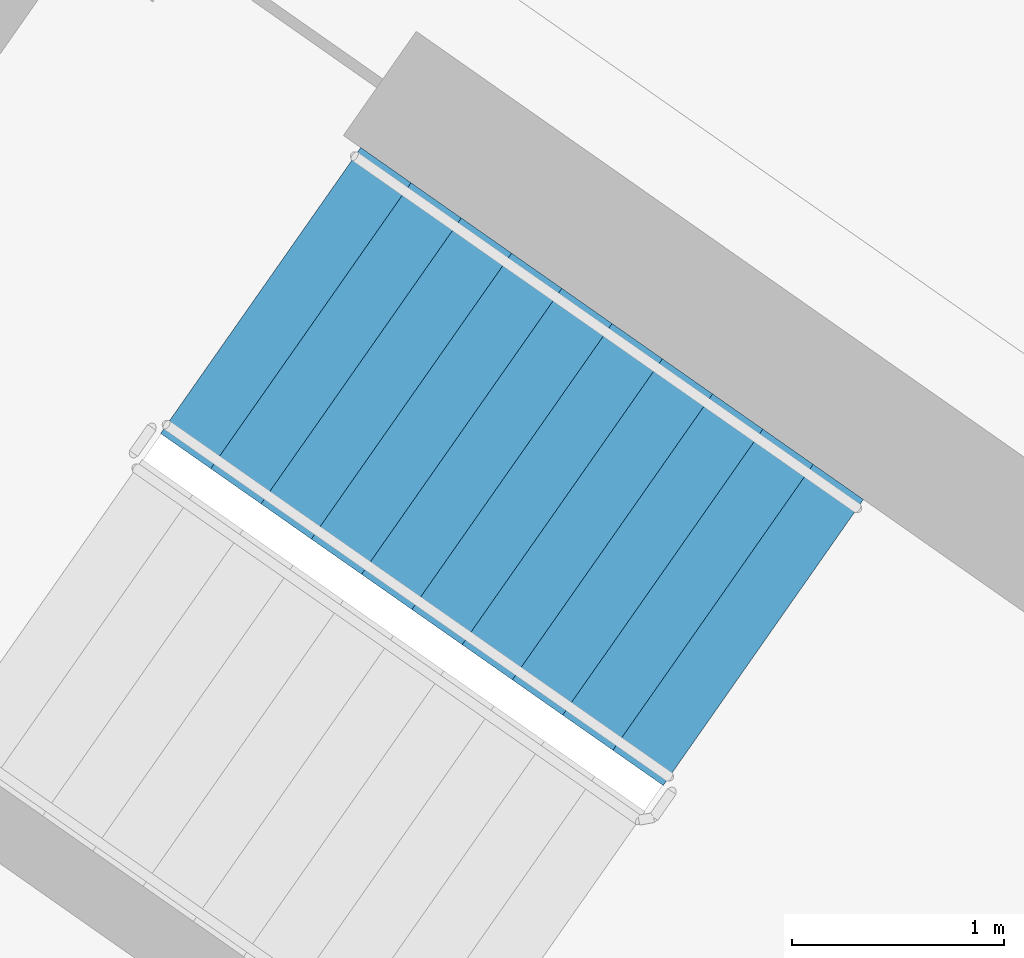
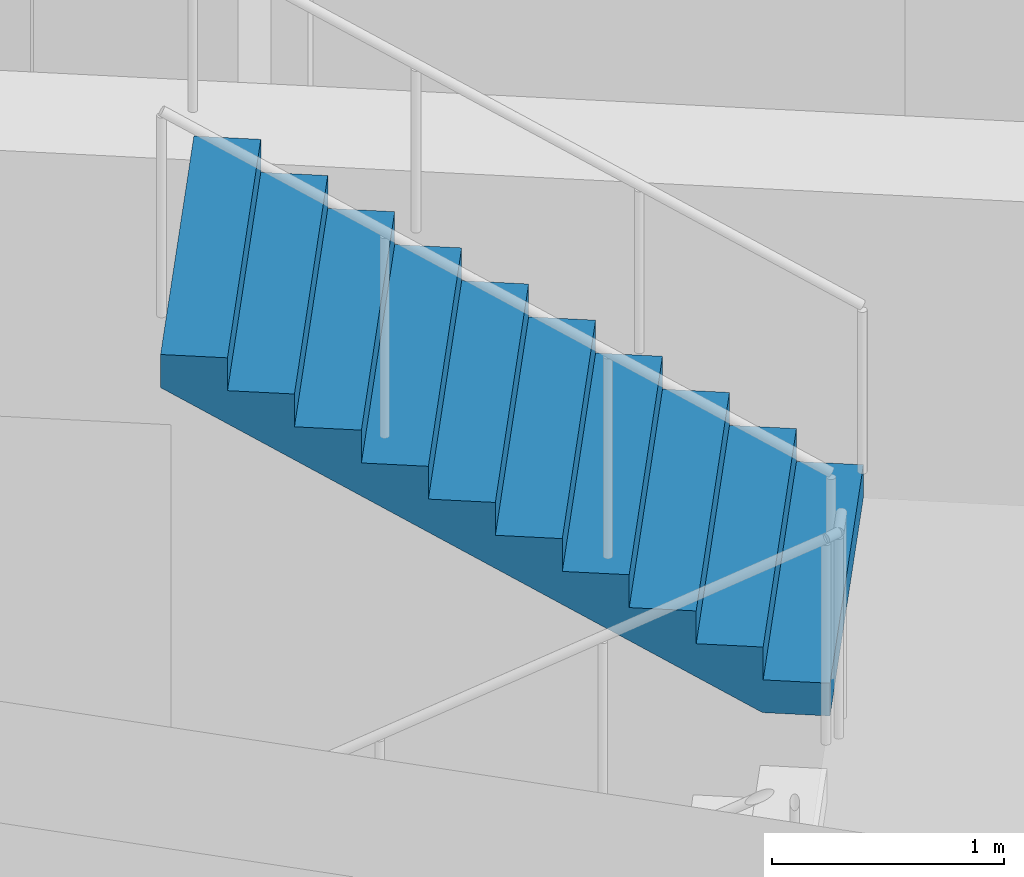
# One storey, part 11 of 29: 1 stair flight, 1 element without a shape of its own.
"""IFC4 building model written with IfcOpenShell, lengths in metres."""

from ifc_helpers import new_model, si_unit, direction, frame, origin, place, context, subcontext, project, spatial, faceted_brep, material, type_object, element, aggregate, save


model = new_model("IFC4")

# Units and contexts
model_context = context("Model", 3, precision=1e-05, world=origin(), true_north=direction((0.0, 1.0)))
body_context = subcontext(model_context, "Body", "Model", "MODEL_VIEW")
ifc_project = project(units=[si_unit("LENGTHUNIT", "METRE"), si_unit("AREAUNIT", "SQUARE_METRE"), si_unit("VOLUMEUNIT", "CUBIC_METRE"), si_unit("PLANEANGLEUNIT", "RADIAN"), si_unit("MASSUNIT", "GRAM", prefix="KILO")], contexts=[model_context])

# Site, building, storey
site_placement = place(None, origin())
site = spatial("IfcSite", under=ifc_project, at=site_placement, CompositionType="ELEMENT")
building_placement = place(site_placement, origin())
building = spatial("IfcBuilding", under=site, at=building_placement, Name="Qamariyya Broadcast Tower", CompositionType="ELEMENT")
storey_placement = place(building_placement, frame((0.0, 0.0, 258.10009765625)))
storey = spatial("IfcBuildingStorey", under=building, at=storey_placement, Name="L62", CompositionType="ELEMENT", Elevation=258.10009765625)

# Stair, stair flight
ifc_material = material(Name="Concrete C50/60", Category="concrete")
stair_type = type_object("IfcStairType", Name="Exit stair 22 risers of 173 mm", PredefinedType="HALF_TURN_STAIR", material=ifc_material)
stair_placement = place(storey_placement, origin())
stair = element("IfcStair", 1, at=stair_placement, inside=storey, type_object=stair_type, Name="L62 Stair W2", PredefinedType="HALF_TURN_STAIR")
stair_flight_type = type_object("IfcStairFlightType", Name="Exit stair flight 11 risers of 173 mm", PredefinedType="STRAIGHT", material=ifc_material)
stair_flight_placement = place(storey_placement, frame((-38.18310546875, -49.3486328125, 1.89990234375), z_axis=(0.0, 0.0, 1.0), x_axis=(-0.819152044289, 0.573576436351, 0.0)))
stair_flight = element("IfcStairFlight", 2, at=stair_flight_placement, type_object=stair_flight_type, Name="ST-W2 flight 2", NumberOfRisers=11, NumberOfTreads=10, PredefinedType="STRAIGHT", RiserHeight=0.172727273, TreadLength=0.29, context=body_context, shape_type="Brep", body=[
    faceted_brep([(0.0, 0.824951171875, 0.0), (0.0, 0.824951171875, 0.172607421875), (0.2900390625, 0.824951171875, 0.172607421875), (0.2900390625, 0.824951171875, 0.345458984375), (0.580078125, 0.824951171875, 0.345458984375), (0.580078125, 0.824951171875, 0.51806640625), (0.8701171875, 0.824951171875, 0.51806640625), (0.8701171875, 0.824951171875, 0.69091796875), (1.159912109375, 0.824951171875, 0.69091796875), (1.159912109375, 0.824951171875, 0.863525390625), (1.449951171875, 0.824951171875, 0.863525390625), (1.449951171875, 0.824951171875, 1.036376953125), (1.739990234375, 0.824951171875, 1.036376953125), (1.739990234375, 0.824951171875, 1.208984375), (2.030029296875, 0.824951171875, 1.208984375), (2.030029296875, 0.824951171875, 1.3818359375), (2.320068359375, 0.824951171875, 1.3818359375), (2.320068359375, 0.824951171875, 1.554443359375), (2.610107421875, 0.824951171875, 1.554443359375), (2.610107421875, 0.824951171875, 1.727294921875), (2.89990234375, 0.824951171875, 1.727294921875), (2.89990234375, 0.824951171875, 1.552734375), (0.29296875, 0.824951171875, 0.0), (0.29296875, -0.824951171875, 0.0), (2.89990234375, -0.824951171875, 1.552734375), (2.89990234375, -0.824951171875, 1.727294921875), (2.610107421875, -0.824951171875, 1.727294921875), (2.610107421875, -0.824951171875, 1.554443359375), (2.320068359375, -0.824951171875, 1.554443359375), (2.320068359375, -0.824951171875, 1.3818359375), (2.030029296875, -0.824951171875, 1.3818359375), (2.030029296875, -0.824951171875, 1.208984375), (1.739990234375, -0.824951171875, 1.208984375), (1.739990234375, -0.824951171875, 1.036376953125), (1.449951171875, -0.824951171875, 1.036376953125), (1.449951171875, -0.824951171875, 0.863525390625), (1.159912109375, -0.824951171875, 0.863525390625), (1.159912109375, -0.824951171875, 0.69091796875), (0.8701171875, -0.824951171875, 0.69091796875), (0.8701171875, -0.824951171875, 0.51806640625), (0.580078125, -0.824951171875, 0.51806640625), (0.580078125, -0.824951171875, 0.345458984375), (0.2900390625, -0.824951171875, 0.345458984375), (0.2900390625, -0.824951171875, 0.172607421875), (0.0, -0.824951171875, 0.172607421875), (0.0, -0.824951171875, 0.0), (0.0, 0.10009765625, 0.0), (0.0, 0.086669921875, 0.0), (0.0, 0.0732421875, 0.0), (0.0, 0.06005859375, 0.0), (0.0, 0.046630859375, 0.0), (0.0, 0.033447265625, 0.0), (0.0, 0.02001953125, 0.0), (0.0, 0.006591796875, 0.0), (0.0, -0.006591796875, 0.0), (0.0, -0.02001953125, 0.0), (0.0, -0.033447265625, 0.0), (0.0, -0.046630859375, 0.0), (0.0, -0.06005859375, 0.0), (0.0, -0.0732421875, 0.0), (0.0, -0.086669921875, 0.0), (0.0, -0.10009765625, 0.0), (0.0, -0.10009765625, 0.172607421875), (0.0, -0.086669921875, 0.172607421875), (0.0, -0.0732421875, 0.172607421875), (0.0, -0.06005859375, 0.172607421875), (0.0, -0.046630859375, 0.172607421875), (0.0, -0.033447265625, 0.172607421875), (0.0, -0.02001953125, 0.172607421875), (0.0, -0.006591796875, 0.172607421875), (0.0, 0.006591796875, 0.172607421875), (0.0, 0.02001953125, 0.172607421875), (0.0, 0.033447265625, 0.172607421875), (0.0, 0.046630859375, 0.172607421875), (0.0, 0.06005859375, 0.172607421875), (0.0, 0.0732421875, 0.172607421875), (0.0, 0.086669921875, 0.172607421875), (0.0, 0.10009765625, 0.172607421875), (0.2900390625, -0.10009765625, 0.172607421875), (0.2900390625, -0.086669921875, 0.172607421875), (0.2900390625, -0.0732421875, 0.172607421875), (0.2900390625, -0.06005859375, 0.172607421875), (0.2900390625, -0.046630859375, 0.172607421875), (0.2900390625, -0.033447265625, 0.172607421875), (0.2900390625, -0.02001953125, 0.172607421875), (0.2900390625, -0.006591796875, 0.172607421875), (0.2900390625, 0.006591796875, 0.172607421875), (0.2900390625, 0.02001953125, 0.172607421875), (0.2900390625, 0.033447265625, 0.172607421875), (0.2900390625, 0.046630859375, 0.172607421875), (0.2900390625, 0.06005859375, 0.172607421875), (0.2900390625, 0.0732421875, 0.172607421875), (0.2900390625, 0.086669921875, 0.172607421875), (0.2900390625, 0.10009765625, 0.172607421875), (0.2900390625, -0.10009765625, 0.345458984375), (0.2900390625, -0.086669921875, 0.345458984375), (0.2900390625, -0.0732421875, 0.345458984375), (0.2900390625, -0.06005859375, 0.345458984375), (0.2900390625, -0.046630859375, 0.345458984375), (0.2900390625, -0.033447265625, 0.345458984375), (0.2900390625, -0.02001953125, 0.345458984375), (0.2900390625, -0.006591796875, 0.345458984375), (0.2900390625, 0.006591796875, 0.345458984375), (0.2900390625, 0.02001953125, 0.345458984375), (0.2900390625, 0.033447265625, 0.345458984375), (0.2900390625, 0.046630859375, 0.345458984375), (0.2900390625, 0.06005859375, 0.345458984375), (0.2900390625, 0.0732421875, 0.345458984375), (0.2900390625, 0.086669921875, 0.345458984375), (0.2900390625, 0.10009765625, 0.345458984375), (0.580078125, -0.10009765625, 0.345458984375), (0.580078125, -0.086669921875, 0.345458984375), (0.580078125, -0.0732421875, 0.345458984375), (0.580078125, -0.06005859375, 0.345458984375), (0.580078125, -0.046630859375, 0.345458984375), (0.580078125, -0.033447265625, 0.345458984375), (0.580078125, -0.02001953125, 0.345458984375), (0.580078125, -0.006591796875, 0.345458984375), (0.580078125, 0.006591796875, 0.345458984375), (0.580078125, 0.02001953125, 0.345458984375), (0.580078125, 0.033447265625, 0.345458984375), (0.580078125, 0.046630859375, 0.345458984375), (0.580078125, 0.06005859375, 0.345458984375), (0.580078125, 0.0732421875, 0.345458984375), (0.580078125, 0.086669921875, 0.345458984375), (0.580078125, 0.10009765625, 0.345458984375), (0.580078125, -0.10009765625, 0.51806640625), (0.580078125, -0.086669921875, 0.51806640625), (0.580078125, -0.0732421875, 0.51806640625), (0.580078125, -0.06005859375, 0.51806640625), (0.580078125, -0.046630859375, 0.51806640625), (0.580078125, -0.033447265625, 0.51806640625), (0.580078125, -0.02001953125, 0.51806640625), (0.580078125, -0.006591796875, 0.51806640625), (0.580078125, 0.006591796875, 0.51806640625), (0.580078125, 0.02001953125, 0.51806640625), (0.580078125, 0.033447265625, 0.51806640625), (0.580078125, 0.046630859375, 0.51806640625), (0.580078125, 0.06005859375, 0.51806640625), (0.580078125, 0.0732421875, 0.51806640625), (0.580078125, 0.086669921875, 0.51806640625), (0.580078125, 0.10009765625, 0.51806640625), (0.8701171875, -0.10009765625, 0.51806640625), (0.8701171875, -0.086669921875, 0.51806640625), (0.8701171875, -0.0732421875, 0.51806640625), (0.8701171875, -0.06005859375, 0.51806640625), (0.8701171875, -0.046630859375, 0.51806640625), (0.8701171875, -0.033447265625, 0.51806640625), (0.8701171875, -0.02001953125, 0.51806640625), (0.8701171875, -0.006591796875, 0.51806640625), (0.8701171875, 0.006591796875, 0.51806640625), (0.8701171875, 0.02001953125, 0.51806640625), (0.8701171875, 0.033447265625, 0.51806640625), (0.8701171875, 0.046630859375, 0.51806640625), (0.8701171875, 0.06005859375, 0.51806640625), (0.8701171875, 0.0732421875, 0.51806640625), (0.8701171875, 0.086669921875, 0.51806640625), (0.8701171875, 0.10009765625, 0.51806640625), (0.8701171875, -0.10009765625, 0.69091796875), (0.8701171875, -0.086669921875, 0.69091796875), (0.8701171875, -0.0732421875, 0.69091796875), (0.8701171875, -0.06005859375, 0.69091796875), (0.8701171875, -0.046630859375, 0.69091796875), (0.8701171875, -0.033447265625, 0.69091796875), (0.8701171875, -0.02001953125, 0.69091796875), (0.8701171875, -0.006591796875, 0.69091796875), (0.8701171875, 0.006591796875, 0.69091796875), (0.8701171875, 0.02001953125, 0.69091796875), (0.8701171875, 0.033447265625, 0.69091796875), (0.8701171875, 0.046630859375, 0.69091796875), (0.8701171875, 0.06005859375, 0.69091796875), (0.8701171875, 0.0732421875, 0.69091796875), (0.8701171875, 0.086669921875, 0.69091796875), (0.8701171875, 0.10009765625, 0.69091796875), (1.159912109375, -0.10009765625, 0.69091796875), (1.159912109375, -0.086669921875, 0.69091796875), (1.159912109375, -0.0732421875, 0.69091796875), (1.159912109375, -0.06005859375, 0.69091796875), (1.159912109375, -0.046630859375, 0.69091796875), (1.159912109375, -0.033447265625, 0.69091796875), (1.159912109375, -0.02001953125, 0.69091796875), (1.159912109375, -0.006591796875, 0.69091796875), (1.159912109375, 0.006591796875, 0.69091796875), (1.159912109375, 0.02001953125, 0.69091796875), (1.159912109375, 0.033447265625, 0.69091796875), (1.159912109375, 0.046630859375, 0.69091796875), (1.159912109375, 0.06005859375, 0.69091796875), (1.159912109375, 0.0732421875, 0.69091796875), (1.159912109375, 0.086669921875, 0.69091796875), (1.159912109375, 0.10009765625, 0.69091796875), (1.159912109375, -0.10009765625, 0.863525390625), (1.159912109375, -0.086669921875, 0.863525390625), (1.159912109375, -0.0732421875, 0.863525390625), (1.159912109375, -0.06005859375, 0.863525390625), (1.159912109375, -0.046630859375, 0.863525390625), (1.159912109375, -0.033447265625, 0.863525390625), (1.159912109375, -0.02001953125, 0.863525390625), (1.159912109375, -0.006591796875, 0.863525390625), (1.159912109375, 0.006591796875, 0.863525390625), (1.159912109375, 0.02001953125, 0.863525390625), (1.159912109375, 0.033447265625, 0.863525390625), (1.159912109375, 0.046630859375, 0.863525390625), (1.159912109375, 0.06005859375, 0.863525390625), (1.159912109375, 0.0732421875, 0.863525390625), (1.159912109375, 0.086669921875, 0.863525390625), (1.159912109375, 0.10009765625, 0.863525390625), (1.449951171875, -0.10009765625, 0.863525390625), (1.449951171875, -0.086669921875, 0.863525390625), (1.449951171875, -0.0732421875, 0.863525390625), (1.449951171875, -0.06005859375, 0.863525390625), (1.449951171875, -0.046630859375, 0.863525390625), (1.449951171875, -0.033447265625, 0.863525390625), (1.449951171875, -0.02001953125, 0.863525390625), (1.449951171875, -0.006591796875, 0.863525390625), (1.449951171875, 0.006591796875, 0.863525390625), (1.449951171875, 0.02001953125, 0.863525390625), (1.449951171875, 0.033447265625, 0.863525390625), (1.449951171875, 0.046630859375, 0.863525390625), (1.449951171875, 0.06005859375, 0.863525390625), (1.449951171875, 0.0732421875, 0.863525390625), (1.449951171875, 0.086669921875, 0.863525390625), (1.449951171875, 0.10009765625, 0.863525390625), (1.449951171875, -0.10009765625, 1.036376953125), (1.449951171875, -0.086669921875, 1.036376953125), (1.449951171875, -0.0732421875, 1.036376953125), (1.449951171875, -0.06005859375, 1.036376953125), (1.449951171875, -0.046630859375, 1.036376953125), (1.449951171875, -0.033447265625, 1.036376953125), (1.449951171875, -0.02001953125, 1.036376953125), (1.449951171875, -0.006591796875, 1.036376953125), (1.449951171875, 0.006591796875, 1.036376953125), (1.449951171875, 0.02001953125, 1.036376953125), (1.449951171875, 0.033447265625, 1.036376953125), (1.449951171875, 0.046630859375, 1.036376953125), (1.449951171875, 0.06005859375, 1.036376953125), (1.449951171875, 0.0732421875, 1.036376953125), (1.449951171875, 0.086669921875, 1.036376953125), (1.449951171875, 0.10009765625, 1.036376953125), (1.739990234375, -0.10009765625, 1.036376953125), (1.739990234375, -0.086669921875, 1.036376953125), (1.739990234375, -0.0732421875, 1.036376953125), (1.739990234375, -0.06005859375, 1.036376953125), (1.739990234375, -0.046630859375, 1.036376953125), (1.739990234375, -0.033447265625, 1.036376953125), (1.739990234375, -0.02001953125, 1.036376953125), (1.739990234375, -0.006591796875, 1.036376953125), (1.739990234375, 0.006591796875, 1.036376953125), (1.739990234375, 0.02001953125, 1.036376953125), (1.739990234375, 0.033447265625, 1.036376953125), (1.739990234375, 0.046630859375, 1.036376953125), (1.739990234375, 0.06005859375, 1.036376953125), (1.739990234375, 0.0732421875, 1.036376953125), (1.739990234375, 0.086669921875, 1.036376953125), (1.739990234375, 0.10009765625, 1.036376953125), (1.739990234375, -0.10009765625, 1.208984375), (1.739990234375, -0.086669921875, 1.208984375), (1.739990234375, -0.0732421875, 1.208984375), (1.739990234375, -0.06005859375, 1.208984375), (1.739990234375, -0.046630859375, 1.208984375), (1.739990234375, -0.033447265625, 1.208984375), (1.739990234375, -0.02001953125, 1.208984375), (1.739990234375, -0.006591796875, 1.208984375), (1.739990234375, 0.006591796875, 1.208984375), (1.739990234375, 0.02001953125, 1.208984375), (1.739990234375, 0.033447265625, 1.208984375), (1.739990234375, 0.046630859375, 1.208984375), (1.739990234375, 0.06005859375, 1.208984375), (1.739990234375, 0.0732421875, 1.208984375), (1.739990234375, 0.086669921875, 1.208984375), (1.739990234375, 0.10009765625, 1.208984375), (2.030029296875, -0.10009765625, 1.208984375), (2.030029296875, -0.086669921875, 1.208984375), (2.030029296875, -0.0732421875, 1.208984375), (2.030029296875, -0.06005859375, 1.208984375), (2.030029296875, -0.046630859375, 1.208984375), (2.030029296875, -0.033447265625, 1.208984375), (2.030029296875, -0.02001953125, 1.208984375), (2.030029296875, -0.006591796875, 1.208984375), (2.030029296875, 0.006591796875, 1.208984375), (2.030029296875, 0.02001953125, 1.208984375), (2.030029296875, 0.033447265625, 1.208984375), (2.030029296875, 0.046630859375, 1.208984375), (2.030029296875, 0.06005859375, 1.208984375), (2.030029296875, 0.0732421875, 1.208984375), (2.030029296875, 0.086669921875, 1.208984375), (2.030029296875, 0.10009765625, 1.208984375), (2.030029296875, -0.10009765625, 1.3818359375), (2.030029296875, -0.086669921875, 1.3818359375), (2.030029296875, -0.0732421875, 1.3818359375), (2.030029296875, -0.06005859375, 1.3818359375), (2.030029296875, -0.046630859375, 1.3818359375), (2.030029296875, -0.033447265625, 1.3818359375), (2.030029296875, -0.02001953125, 1.3818359375), (2.030029296875, -0.006591796875, 1.3818359375), (2.030029296875, 0.006591796875, 1.3818359375), (2.030029296875, 0.02001953125, 1.3818359375), (2.030029296875, 0.033447265625, 1.3818359375), (2.030029296875, 0.046630859375, 1.3818359375), (2.030029296875, 0.06005859375, 1.3818359375), (2.030029296875, 0.0732421875, 1.3818359375), (2.030029296875, 0.086669921875, 1.3818359375), (2.030029296875, 0.10009765625, 1.3818359375), (2.320068359375, -0.10009765625, 1.3818359375), (2.320068359375, -0.086669921875, 1.3818359375), (2.320068359375, -0.0732421875, 1.3818359375), (2.320068359375, -0.06005859375, 1.3818359375), (2.320068359375, -0.046630859375, 1.3818359375), (2.320068359375, -0.033447265625, 1.3818359375), (2.320068359375, -0.02001953125, 1.3818359375), (2.320068359375, -0.006591796875, 1.3818359375), (2.320068359375, 0.006591796875, 1.3818359375), (2.320068359375, 0.02001953125, 1.3818359375), (2.320068359375, 0.033447265625, 1.3818359375), (2.320068359375, 0.046630859375, 1.3818359375), (2.320068359375, 0.06005859375, 1.3818359375), (2.320068359375, 0.0732421875, 1.3818359375), (2.320068359375, 0.086669921875, 1.3818359375), (2.320068359375, 0.10009765625, 1.3818359375), (2.320068359375, -0.10009765625, 1.554443359375), (2.320068359375, -0.086669921875, 1.554443359375), (2.320068359375, -0.0732421875, 1.554443359375), (2.320068359375, -0.06005859375, 1.554443359375), (2.320068359375, -0.046630859375, 1.554443359375), (2.320068359375, -0.033447265625, 1.554443359375), (2.320068359375, -0.02001953125, 1.554443359375), (2.320068359375, -0.006591796875, 1.554443359375), (2.320068359375, 0.006591796875, 1.554443359375), (2.320068359375, 0.02001953125, 1.554443359375), (2.320068359375, 0.033447265625, 1.554443359375), (2.320068359375, 0.046630859375, 1.554443359375), (2.320068359375, 0.06005859375, 1.554443359375), (2.320068359375, 0.0732421875, 1.554443359375), (2.320068359375, 0.086669921875, 1.554443359375), (2.320068359375, 0.10009765625, 1.554443359375), (2.610107421875, -0.10009765625, 1.554443359375), (2.610107421875, -0.086669921875, 1.554443359375), (2.610107421875, -0.0732421875, 1.554443359375), (2.610107421875, -0.06005859375, 1.554443359375), (2.610107421875, -0.046630859375, 1.554443359375), (2.610107421875, -0.033447265625, 1.554443359375), (2.610107421875, -0.02001953125, 1.554443359375), (2.610107421875, -0.006591796875, 1.554443359375), (2.610107421875, 0.006591796875, 1.554443359375), (2.610107421875, 0.02001953125, 1.554443359375), (2.610107421875, 0.033447265625, 1.554443359375), (2.610107421875, 0.046630859375, 1.554443359375), (2.610107421875, 0.06005859375, 1.554443359375), (2.610107421875, 0.0732421875, 1.554443359375), (2.610107421875, 0.086669921875, 1.554443359375), (2.610107421875, 0.10009765625, 1.554443359375), (2.610107421875, -0.10009765625, 1.727294921875), (2.610107421875, -0.086669921875, 1.727294921875), (2.610107421875, -0.0732421875, 1.727294921875), (2.610107421875, -0.06005859375, 1.727294921875), (2.610107421875, -0.046630859375, 1.727294921875), (2.610107421875, -0.033447265625, 1.727294921875), (2.610107421875, -0.02001953125, 1.727294921875), (2.610107421875, -0.006591796875, 1.727294921875), (2.610107421875, 0.006591796875, 1.727294921875), (2.610107421875, 0.02001953125, 1.727294921875), (2.610107421875, 0.033447265625, 1.727294921875), (2.610107421875, 0.046630859375, 1.727294921875), (2.610107421875, 0.06005859375, 1.727294921875), (2.610107421875, 0.0732421875, 1.727294921875), (2.610107421875, 0.086669921875, 1.727294921875), (2.610107421875, 0.10009765625, 1.727294921875), (2.89990234375, -0.10009765625, 1.727294921875), (2.89990234375, -0.086669921875, 1.727294921875), (2.89990234375, -0.0732421875, 1.727294921875), (2.89990234375, -0.06005859375, 1.727294921875), (2.89990234375, -0.046630859375, 1.727294921875), (2.89990234375, -0.033447265625, 1.727294921875), (2.89990234375, -0.02001953125, 1.727294921875), (2.89990234375, -0.006591796875, 1.727294921875), (2.89990234375, 0.006591796875, 1.727294921875), (2.89990234375, 0.02001953125, 1.727294921875), (2.89990234375, 0.033447265625, 1.727294921875), (2.89990234375, 0.046630859375, 1.727294921875), (2.89990234375, 0.06005859375, 1.727294921875), (2.89990234375, 0.0732421875, 1.727294921875), (2.89990234375, 0.086669921875, 1.727294921875), (2.89990234375, 0.10009765625, 1.727294921875), (2.89990234375, -0.10009765625, 1.552734375), (2.89990234375, -0.086669921875, 1.552734375), (2.89990234375, -0.0732421875, 1.552734375), (2.89990234375, -0.06005859375, 1.552734375), (2.89990234375, -0.046630859375, 1.552734375), (2.89990234375, -0.033447265625, 1.552734375), (2.89990234375, -0.02001953125, 1.552734375), (2.89990234375, -0.006591796875, 1.552734375), (2.89990234375, 0.006591796875, 1.552734375), (2.89990234375, 0.02001953125, 1.552734375), (2.89990234375, 0.033447265625, 1.552734375), (2.89990234375, 0.046630859375, 1.552734375), (2.89990234375, 0.06005859375, 1.552734375), (2.89990234375, 0.0732421875, 1.552734375), (2.89990234375, 0.086669921875, 1.552734375), (2.89990234375, 0.10009765625, 1.552734375), (0.29296875, -0.10009765625, 0.0), (0.29296875, -0.086669921875, 0.0), (0.29296875, -0.0732421875, 0.0), (0.29296875, -0.06005859375, 0.0), (0.29296875, -0.046630859375, 0.0), (0.29296875, -0.033447265625, 0.0), (0.29296875, -0.02001953125, 0.0), (0.29296875, -0.006591796875, 0.0), (0.29296875, 0.006591796875, 0.0), (0.29296875, 0.02001953125, 0.0), (0.29296875, 0.033447265625, 0.0), (0.29296875, 0.046630859375, 0.0), (0.29296875, 0.06005859375, 0.0), (0.29296875, 0.0732421875, 0.0), (0.29296875, 0.086669921875, 0.0), (0.29296875, 0.10009765625, 0.0)], [[[0, 1, 2, 3, 4, 5, 6, 7, 8, 9, 10, 11, 12, 13, 14, 15, 16, 17, 18, 19, 20, 21, 22]], [[23, 24, 25, 26, 27, 28, 29, 30, 31, 32, 33, 34, 35, 36, 37, 38, 39, 40, 41, 42, 43, 44, 45]], [[0, 46, 47, 48, 49, 50, 51, 52, 53, 54, 55, 56, 57, 58, 59, 60, 61, 45, 44, 62, 63, 64, 65, 66, 67, 68, 69, 70, 71, 72, 73, 74, 75, 76, 77, 1]], [[1, 77, 76, 75, 74, 73, 72, 71, 70, 69, 68, 67, 66, 65, 64, 63, 62, 44, 43, 78, 79, 80, 81, 82, 83, 84, 85, 86, 87, 88, 89, 90, 91, 92, 93, 2]], [[2, 93, 92, 91, 90, 89, 88, 87, 86, 85, 84, 83, 82, 81, 80, 79, 78, 43, 42, 94, 95, 96, 97, 98, 99, 100, 101, 102, 103, 104, 105, 106, 107, 108, 109, 3]], [[3, 109, 108, 107, 106, 105, 104, 103, 102, 101, 100, 99, 98, 97, 96, 95, 94, 42, 41, 110, 111, 112, 113, 114, 115, 116, 117, 118, 119, 120, 121, 122, 123, 124, 125, 4]], [[4, 125, 124, 123, 122, 121, 120, 119, 118, 117, 116, 115, 114, 113, 112, 111, 110, 41, 40, 126, 127, 128, 129, 130, 131, 132, 133, 134, 135, 136, 137, 138, 139, 140, 141, 5]], [[5, 141, 140, 139, 138, 137, 136, 135, 134, 133, 132, 131, 130, 129, 128, 127, 126, 40, 39, 142, 143, 144, 145, 146, 147, 148, 149, 150, 151, 152, 153, 154, 155, 156, 157, 6]], [[6, 157, 156, 155, 154, 153, 152, 151, 150, 149, 148, 147, 146, 145, 144, 143, 142, 39, 38, 158, 159, 160, 161, 162, 163, 164, 165, 166, 167, 168, 169, 170, 171, 172, 173, 7]], [[7, 173, 172, 171, 170, 169, 168, 167, 166, 165, 164, 163, 162, 161, 160, 159, 158, 38, 37, 174, 175, 176, 177, 178, 179, 180, 181, 182, 183, 184, 185, 186, 187, 188, 189, 8]], [[8, 189, 188, 187, 186, 185, 184, 183, 182, 181, 180, 179, 178, 177, 176, 175, 174, 37, 36, 190, 191, 192, 193, 194, 195, 196, 197, 198, 199, 200, 201, 202, 203, 204, 205, 9]], [[9, 205, 204, 203, 202, 201, 200, 199, 198, 197, 196, 195, 194, 193, 192, 191, 190, 36, 35, 206, 207, 208, 209, 210, 211, 212, 213, 214, 215, 216, 217, 218, 219, 220, 221, 10]], [[10, 221, 220, 219, 218, 217, 216, 215, 214, 213, 212, 211, 210, 209, 208, 207, 206, 35, 34, 222, 223, 224, 225, 226, 227, 228, 229, 230, 231, 232, 233, 234, 235, 236, 237, 11]], [[11, 237, 236, 235, 234, 233, 232, 231, 230, 229, 228, 227, 226, 225, 224, 223, 222, 34, 33, 238, 239, 240, 241, 242, 243, 244, 245, 246, 247, 248, 249, 250, 251, 252, 253, 12]], [[12, 253, 252, 251, 250, 249, 248, 247, 246, 245, 244, 243, 242, 241, 240, 239, 238, 33, 32, 254, 255, 256, 257, 258, 259, 260, 261, 262, 263, 264, 265, 266, 267, 268, 269, 13]], [[13, 269, 268, 267, 266, 265, 264, 263, 262, 261, 260, 259, 258, 257, 256, 255, 254, 32, 31, 270, 271, 272, 273, 274, 275, 276, 277, 278, 279, 280, 281, 282, 283, 284, 285, 14]], [[14, 285, 284, 283, 282, 281, 280, 279, 278, 277, 276, 275, 274, 273, 272, 271, 270, 31, 30, 286, 287, 288, 289, 290, 291, 292, 293, 294, 295, 296, 297, 298, 299, 300, 301, 15]], [[15, 301, 300, 299, 298, 297, 296, 295, 294, 293, 292, 291, 290, 289, 288, 287, 286, 30, 29, 302, 303, 304, 305, 306, 307, 308, 309, 310, 311, 312, 313, 314, 315, 316, 317, 16]], [[16, 317, 316, 315, 314, 313, 312, 311, 310, 309, 308, 307, 306, 305, 304, 303, 302, 29, 28, 318, 319, 320, 321, 322, 323, 324, 325, 326, 327, 328, 329, 330, 331, 332, 333, 17]], [[17, 333, 332, 331, 330, 329, 328, 327, 326, 325, 324, 323, 322, 321, 320, 319, 318, 28, 27, 334, 335, 336, 337, 338, 339, 340, 341, 342, 343, 344, 345, 346, 347, 348, 349, 18]], [[18, 349, 348, 347, 346, 345, 344, 343, 342, 341, 340, 339, 338, 337, 336, 335, 334, 27, 26, 350, 351, 352, 353, 354, 355, 356, 357, 358, 359, 360, 361, 362, 363, 364, 365, 19]], [[19, 365, 364, 363, 362, 361, 360, 359, 358, 357, 356, 355, 354, 353, 352, 351, 350, 26, 25, 366, 367, 368, 369, 370, 371, 372, 373, 374, 375, 376, 377, 378, 379, 380, 381, 20]], [[20, 381, 380, 379, 378, 377, 376, 375, 374, 373, 372, 371, 370, 369, 368, 367, 366, 25, 24, 382, 383, 384, 385, 386, 387, 388, 389, 390, 391, 392, 393, 394, 395, 396, 397, 21]], [[21, 397, 396, 395, 394, 393, 392, 391, 390, 389, 388, 387, 386, 385, 384, 383, 382, 24, 23, 398, 399, 400, 401, 402, 403, 404, 405, 406, 407, 408, 409, 410, 411, 412, 413, 22]], [[22, 413, 412, 411, 410, 409, 408, 407, 406, 405, 404, 403, 402, 401, 400, 399, 398, 23, 45, 61, 60, 59, 58, 57, 56, 55, 54, 53, 52, 51, 50, 49, 48, 47, 46, 0]]]),
])
aggregate(stair, [stair_flight])

save(model, "model.ifc")
